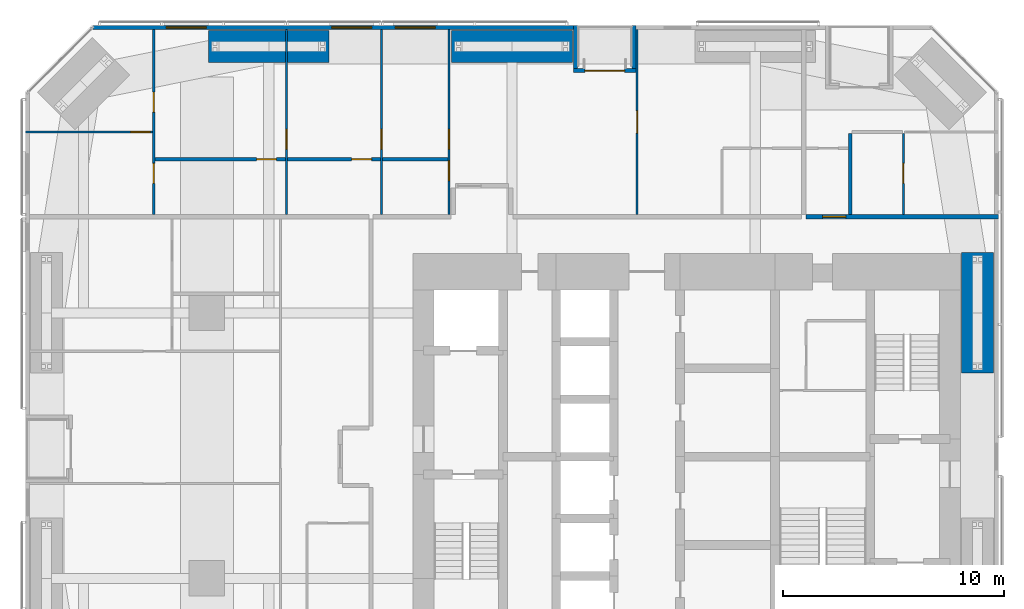
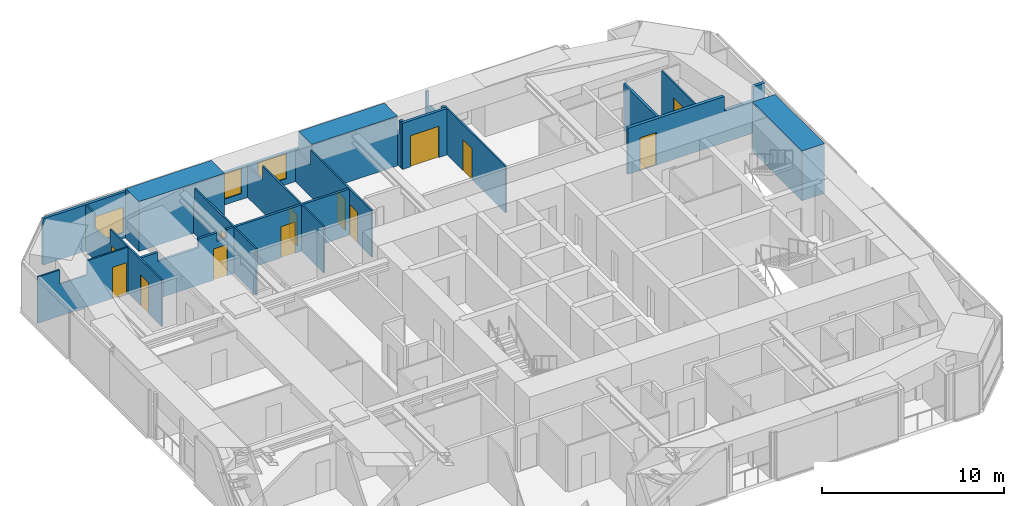
# One storey, part 21 of 23: 19 walls, 13 doors, 3 windows, 16 openings.
"""IFC4 building model written with IfcOpenShell, lengths in metres."""

import ifcopenshell
import ifcopenshell.guid

model = None  # the IFC model being written
_history = None  # IfcOwnerHistory: only IFC2X3 demands one
_inside = {}  # id of a spatial element -> (the spatial element, [elements in it])
_under = {}  # id of a project, library or spatial element -> (it, [spatial elements below it])
_declared = {}  # id of a project -> (the project, [libraries it declares])
_typed = {}  # id of a type object -> (the type object, [elements of that type])
_made_of = {}  # id of a material, layer set ... -> (it, [elements and type objects made of it])


def new_model(schema):
    """Start an empty IFC model of exactly this schema.

    Asked for "IFC4X3", IfcOpenShell would pick the latest addendum, in which some entities
    have other attributes; the version numbers below select the first issue.
    IFC2X3 requires an IfcOwnerHistory on every rooted entity: one is made here for all.
    """
    global model, _history
    if schema == "IFC4X3":
        model = ifcopenshell.file(schema_version=(4, 3, 0, 0))
    else:
        model = ifcopenshell.file(schema=schema)
    _inside.clear()
    _under.clear()
    _declared.clear()
    _typed.clear()
    _made_of.clear()
    _history = None
    if model.schema == "IFC2X3":
        org = make("IfcOrganization", Name="unknown")
        user = make(
            "IfcPersonAndOrganization",
            ThePerson=make("IfcPerson", FamilyName="unknown"),
            TheOrganization=org,
        )
        app = make(
            "IfcApplication",
            ApplicationDeveloper=org,
            Version="unknown",
            ApplicationFullName="unknown",
            ApplicationIdentifier="unknown",
        )
        _history = make(
            "IfcOwnerHistory",
            OwningUser=user,
            OwningApplication=app,
            ChangeAction="ADDED",
            CreationDate=0,
        )
    return model


def make(cls, **values):
    """One entity of the class cls with the attributes given. An attribute that is None is left unset."""
    return model.create_entity(
        cls, **{name: value for name, value in values.items() if value is not None}
    )


def rooted(cls, **values):
    """An entity with a GlobalId (a new one), such as an element, a storey or a relation."""
    return make(cls, GlobalId=ifcopenshell.guid.new(), OwnerHistory=_history, **values)


def si_unit(unit_type, name, prefix=None):
    """IfcSIUnit, for example si_unit("LENGTHUNIT", "METRE", prefix="MILLI")."""
    return make("IfcSIUnit", UnitType=unit_type, Prefix=prefix, Name=name)


def assignment(units):
    """IfcUnitAssignment: the units of a project."""
    return None if units is None else make("IfcUnitAssignment", Units=units)


def point(xyz):
    """IfcCartesianPoint."""
    return None if xyz is None else make("IfcCartesianPoint", Coordinates=xyz)


def direction(xyz):
    """IfcDirection."""
    return None if xyz is None else make("IfcDirection", DirectionRatios=xyz)


def frame(location, z_axis=None, x_axis=None):
    """IfcAxis2Placement3D, a coordinate frame: its origin and axes. An axis left out is left unset."""
    return make(
        "IfcAxis2Placement3D",
        Location=point(location),
        Axis=direction(z_axis),
        RefDirection=direction(x_axis),
    )


def frame_2d(location, x_axis=None):
    """IfcAxis2Placement2D, a coordinate frame in the plane: its origin and x axis."""
    return make(
        "IfcAxis2Placement2D", Location=point(location), RefDirection=direction(x_axis)
    )


def origin():
    """The frame at (0, 0, 0) with its axes left unset."""
    return frame((0.0, 0.0, 0.0))


def place(relative_to, where):
    """IfcLocalPlacement: puts the frame where relative to a parent placement (None: the world)."""
    return make(
        "IfcLocalPlacement", PlacementRelTo=relative_to, RelativePlacement=where
    )


def context(
    kind, dimensions, precision=None, world=None, true_north=None, identifier=None
):
    """IfcGeometricRepresentationContext, for example the 3D "Model" context."""
    return make(
        "IfcGeometricRepresentationContext",
        ContextIdentifier=identifier,
        ContextType=kind,
        CoordinateSpaceDimension=dimensions,
        Precision=precision,
        WorldCoordinateSystem=world,
        TrueNorth=true_north,
    )


def subcontext(parent, identifier, kind, view, scale=None):
    """IfcGeometricRepresentationSubContext, for example "Body" below "Model"."""
    return make(
        "IfcGeometricRepresentationSubContext",
        ContextIdentifier=identifier,
        ContextType=kind,
        ParentContext=parent,
        TargetScale=scale,
        TargetView=view,
    )


def project(units=None, contexts=None):
    """IfcProject with its units and contexts."""
    return rooted(
        "IfcProject",
        Name="project",
        RepresentationContexts=contexts,
        UnitsInContext=assignment(units),
    )


def spatial(cls, under=None, at=None, **own):
    """A site, building, storey or space (cls), placed at a placement, below another one or the project."""
    s = rooted(cls, ObjectPlacement=at, **own)
    if under is not None:
        _under.setdefault(under.id(), (under, []))[1].append(s)
    return s


def polyline(points):
    """IfcPolyline through the points."""
    return make("IfcPolyline", Points=[point(p) for p in points])


def profile(cls, at=None, kind="AREA", **sizes):
    """A parametric profile (cls). Its sizes go by their IFC names, for example OverallWidth=200.0."""
    return make(cls, ProfileType=kind, Position=at, **sizes)


def rectangle(**sizes):
    """IfcRectangleProfileDef."""
    return profile("IfcRectangleProfileDef", **sizes)


def outline(outer, holes=None, kind="AREA"):
    """IfcArbitraryClosedProfileDef: a profile drawn as a closed curve; with holes, ...WithVoids."""
    if holes is None:
        return make("IfcArbitraryClosedProfileDef", ProfileType=kind, OuterCurve=outer)
    return make(
        "IfcArbitraryProfileDefWithVoids",
        ProfileType=kind,
        OuterCurve=outer,
        InnerCurves=holes,
    )


def extrude(swept, where, along, depth):
    """IfcExtrudedAreaSolid: the profile swept, set in the frame where, extruded along a direction by depth."""
    return make(
        "IfcExtrudedAreaSolid",
        SweptArea=swept,
        Position=where,
        ExtrudedDirection=direction(along),
        Depth=depth,
    )


def shape(context_of_items, identifier, shape_type, items):
    """IfcShapeRepresentation: the items that make up one representation, for example the "Body"."""
    return make(
        "IfcShapeRepresentation",
        ContextOfItems=context_of_items,
        RepresentationIdentifier=identifier,
        RepresentationType=shape_type,
        Items=items,
    )


def material(Name=None, Category=None):
    """IfcMaterial."""
    return make("IfcMaterial", Name=Name, Category=Category)


def layer(
    of_material, thickness, ventilated=None, Name=None, Category=None, Priority=None
):
    """IfcMaterialLayer: one layer of a wall or slab, of a material (None: an air gap)."""
    return make(
        "IfcMaterialLayer",
        Material=of_material,
        LayerThickness=thickness,
        IsVentilated=ventilated,
        Name=Name,
        Category=Category,
        Priority=Priority,
    )


def layer_set(layers, Name=None):
    """IfcMaterialLayerSet."""
    return make("IfcMaterialLayerSet", MaterialLayers=layers, LayerSetName=Name)


def constituent(of_material, Name=None, Category=None, fraction=None):
    """IfcMaterialConstituent: one of the materials an element consists of."""
    return make(
        "IfcMaterialConstituent",
        Name=Name,
        Material=of_material,
        Fraction=fraction,
        Category=Category,
    )


def constituent_set(constituents=None, Name=None):
    """IfcMaterialConstituentSet."""
    return make(
        "IfcMaterialConstituentSet", Name=Name, MaterialConstituents=constituents
    )


def made_of(thing, what):
    """Note that an element or type object is made of a material, layer set ...; save() writes the relation."""
    if what is not None:
        _made_of.setdefault(what.id(), (what, []))[1].append(thing)
    return thing


def type_object(cls, material=None, **own):
    """A type object (cls), such as IfcWallType, which elements share."""
    return made_of(rooted(cls, **own), material)


def element(
    cls,
    number,
    at=None,
    inside=None,
    cuts=None,
    type_object=None,
    material=None,
    context=None,
    identifier="Body",
    shape_type=None,
    held_by="IfcProductDefinitionShape",
    body=None,
    shapes=None,
    **own,
):
    """One element of the class cls, such as IfcWall. Its Tag is "e" and its number.

    at: its placement. inside: the storey or other place that contains it. cuts: it is an
    opening in that element (IfcRelVoidsElement). A single representation is given by context,
    identifier, shape_type and body (its items); several are given by shapes. held_by: the class
    of the entity that holds the representations. save() writes the other relations.
    """
    e = rooted(cls, Tag="e%d" % number, ObjectPlacement=at, **own)
    if body is not None:
        shapes = [shape(context, identifier, shape_type, body)]
    if shapes is not None:
        e.Representation = make(held_by, Representations=shapes)
    if inside is not None:
        _inside.setdefault(inside.id(), (inside, []))[1].append(e)
    if cuts is not None:
        rooted(
            "IfcRelVoidsElement", RelatingBuildingElement=cuts, RelatedOpeningElement=e
        )
    if type_object is not None:
        _typed.setdefault(type_object.id(), (type_object, []))[1].append(e)
    return made_of(e, material)


def fill(opening, filler):
    """IfcRelFillsElement: the door or window that sits in an opening."""
    return rooted(
        "IfcRelFillsElement",
        RelatingOpeningElement=opening,
        RelatedBuildingElement=filler,
    )


def aggregate(whole, parts):
    """IfcRelAggregates: a whole, such as a stair, and the parts it consists of."""
    return rooted("IfcRelAggregates", RelatingObject=whole, RelatedObjects=parts)


def save(model, path):
    """Write the relations noted so far, then the file.

    IfcRelAggregates (storeys below a building ...), IfcRelContainedInSpatialStructure (elements
    in a storey), IfcRelDefinesByType, IfcRelAssociatesMaterial and IfcRelDeclares: one each for
    every whole, place, type object, material and project.
    """
    for whole, parts in _under.values():
        aggregate(whole, parts)
    for where, things in _inside.values():
        rooted(
            "IfcRelContainedInSpatialStructure",
            RelatedElements=things,
            RelatingStructure=where,
        )
    for kind, things in _typed.values():
        rooted("IfcRelDefinesByType", RelatedObjects=things, RelatingType=kind)
    for what, things in _made_of.values():
        rooted("IfcRelAssociatesMaterial", RelatedObjects=things, RelatingMaterial=what)
    for by, libraries in _declared.values():
        rooted("IfcRelDeclares", RelatingContext=by, RelatedDefinitions=libraries)
    model.write(path)


model = new_model("IFC4")

# Units and contexts
model_context = context("Model", 3, precision=1e-05, world=origin(), true_north=direction((0.0, 1.0)))
body_context = subcontext(model_context, "Body", "Model", "MODEL_VIEW")
ifc_project = project(units=[si_unit("LENGTHUNIT", "METRE"), si_unit("AREAUNIT", "SQUARE_METRE"), si_unit("VOLUMEUNIT", "CUBIC_METRE"), si_unit("PLANEANGLEUNIT", "RADIAN"), si_unit("MASSUNIT", "GRAM", prefix="KILO")], contexts=[model_context])

# Site, building, storey
site_placement = place(None, origin())
site = spatial("IfcSite", under=ifc_project, at=site_placement, CompositionType="ELEMENT")
building_placement = place(site_placement, origin())
building = spatial("IfcBuilding", under=site, at=building_placement, Name="Jalousie Tower", CompositionType="ELEMENT")
storey_placement = place(building_placement, frame((0.0, 0.0, 27.699951171875)))
storey = spatial("IfcBuildingStorey", under=building, at=storey_placement, Name="L06", CompositionType="ELEMENT", Elevation=27.699951171875)

# Wall, opening, door
ifc_material_1 = material(Name="Concrete block ASTM C90", Category="concrete")
ifc_constituent_1 = constituent(ifc_material_1, Name="Body")
ifc_material_2 = material(Name="Render")
ifc_constituent_2 = constituent(ifc_material_2, Name="Finish")
ifc_constituent_set_1 = constituent_set(constituents=[ifc_constituent_1, ifc_constituent_2])
wall_type_1 = type_object("IfcWallType", Name="BATHROOM WALL 150", PredefinedType="PLUMBINGWALL", material=ifc_constituent_set_1)
wall_1_placement = place(storey_placement, frame((7.85009765625, 31.949951171875, 0.0), z_axis=(0.0, 0.0, 1.0), x_axis=(1.0, 0.0, 0.0)))
wall_1 = element("IfcWall", 1, at=wall_1_placement, inside=storey, type_object=wall_type_1, Name="Bathroom Wall 150 L06", PredefinedType="PLUMBINGWALL", context=body_context, shape_type="SweptSolid", body=[
    extrude(outline(polyline([(0.0, 0.0), (5.89990234375, 0.0), (5.89990234375, 3.110107421875), (5.46240234375, 3.110107421875), (5.46240234375, 2.541015625), (4.837646484375, 2.541015625), (4.837646484375, 3.110107421875), (3.635009765625, 3.110107421875), (3.635009765625, 2.510009765625), (1.06494140625, 2.510009765625), (1.06494140625, 3.110107421875), (0.0, 3.110107421875), (0.0, 0.0)])), frame((0.0, 0.074951171875, 0.0), z_axis=(0.0, -1.0, 0.0), x_axis=(1.0, 0.0, 0.0)), (0.0, 0.0, 1.0), 0.14990234375),
])
opening_1_placement = place(wall_1_placement, frame((4.60009765625, 0.0, 0.0)))
opening_1 = element("IfcOpeningElement", 2, at=opening_1_placement, cuts=wall_1, Name="Opening D3", PredefinedType="OPENING", context=body_context, shape_type="SweptSolid", body=[
    extrude(rectangle(XDim=0.89990234375, YDim=2.10009765625, at=frame_2d((0.449951171875, 1.050048828125))), frame((0.0, 0.0849609375, 0.0), z_axis=(0.0, -1.0, 0.0), x_axis=(1.0, 0.0, 0.0)), (0.0, 0.0, 1.0), 0.169921875),
])
ifc_material_3 = material(Name="Timber door", Category="wood")
door_type_1 = type_object("IfcDoorType", Name="BATHROOM DOOR 900", OperationType="SINGLE_SWING_LEFT", PredefinedType="DOOR", material=ifc_material_3)
door_1_placement = place(opening_1_placement, frame((0.89990234375, 0.0, 0.0), z_axis=(0.0, 0.0, 1.0), x_axis=(-1.0, 0.0, 0.0)))
door_1 = element("IfcDoor", 3, at=door_1_placement, inside=storey, type_object=door_type_1, Name="Apartment 0604 bedroom 2 bathroom door", OperationType="SINGLE_SWING_LEFT", OverallHeight=2.10009765625, OverallWidth=0.89990234375, PredefinedType="DOOR", context=body_context, shape_type="SweptSolid", body=[
    extrude(rectangle(XDim=0.89990234375, YDim=2.10009765625, at=frame_2d((0.449951171875, 1.050048828125))), frame((0.0, 0.02490234375, 0.0), z_axis=(0.0, -1.0, 0.0), x_axis=(1.0, 0.0, 0.0)), (0.0, 0.0, 1.0), 0.050048828125),
])
fill(opening_1, door_1)

wall_2_placement = place(storey_placement, frame((13.85009765625, 31.949951171875, 0.0), z_axis=(0.0, 0.0, 1.0), x_axis=(1.0, 0.0, 0.0)))
wall_2 = element("IfcWall", 4, at=wall_2_placement, inside=storey, type_object=wall_type_1, Name="Bathroom Wall 150 L06", PredefinedType="PLUMBINGWALL", context=body_context, shape_type="SweptSolid", body=[
    extrude(rectangle(XDim=4.199951171875, YDim=0.14990234375, at=frame_2d((2.10009765625, 0.0))), origin(), (0.0, 0.0, 1.0), 3.110107421875),
])
opening_2_placement = place(wall_2_placement, frame((2.89990234375, 0.0, 0.0)))
opening_2 = element("IfcOpeningElement", 5, at=opening_2_placement, cuts=wall_2, Name="Opening D3", PredefinedType="OPENING", context=body_context, shape_type="SweptSolid", body=[
    extrude(rectangle(XDim=0.89990234375, YDim=2.10009765625, at=frame_2d((0.449951171875, 1.050048828125))), frame((0.0, 0.0849609375, 0.0), z_axis=(0.0, -1.0, 0.0), x_axis=(1.0, 0.0, 0.0)), (0.0, 0.0, 1.0), 0.169921875),
])
door_2_placement = place(opening_2_placement, frame((0.89990234375, 0.0, 0.0), z_axis=(0.0, 0.0, 1.0), x_axis=(-1.0, 0.0, 0.0)))
door_2 = element("IfcDoor", 6, at=door_2_placement, inside=storey, type_object=door_type_1, Name="Apartment 0604 bedroom 3 bathroom door", OperationType="SINGLE_SWING_LEFT", OverallHeight=2.10009765625, OverallWidth=0.89990234375, PredefinedType="DOOR", context=body_context, shape_type="SweptSolid", body=[
    extrude(rectangle(XDim=0.89990234375, YDim=2.10009765625, at=frame_2d((0.449951171875, 1.050048828125))), frame((0.0, 0.02490234375, 0.0), z_axis=(0.0, -1.0, 0.0), x_axis=(1.0, 0.0, 0.0)), (0.0, 0.0, 1.0), 0.050048828125),
])
fill(opening_2, door_2)

# Walls
wall_3_placement = place(storey_placement, frame((18.14990234375, 31.949951171875, 0.0), z_axis=(0.0, 0.0, 1.0), x_axis=(1.0, 0.0, 0.0)))
element("IfcWall", 7, at=wall_3_placement, inside=storey, type_object=wall_type_1, Name="Bathroom Wall 150 L06", PredefinedType="PLUMBINGWALL", context=body_context, shape_type="SweptSolid", body=[
    extrude(rectangle(XDim=2.9501953125, YDim=0.14990234375, at=frame_2d((1.47509765625, 0.0))), origin(), (0.0, 0.0, 1.0), 3.110107421875),
])
wall_4_placement = place(storey_placement, frame((39.300048828125, 33.107666015625, 0.0), z_axis=(0.0, 0.0, 1.0), x_axis=(0.0, -1.0, 0.0)))
element("IfcWall", 8, at=wall_4_placement, inside=storey, type_object=wall_type_1, Name="Bathroom Wall 150 L06", PredefinedType="PLUMBINGWALL", context=body_context, shape_type="SweptSolid", body=[
    extrude(rectangle(XDim=3.65771484375, YDim=0.14990234375, at=frame_2d((1.828857421875, 0.0))), origin(), (0.0, 0.0, 1.0), 3.110107421875),
])

# Wall, opening, door
ifc_material_4 = material(Name="Concrete block ASTM C90", Category="concrete")
ifc_constituent_3 = constituent(ifc_material_4, Name="Body")
ifc_material_5 = material(Name="Render")
ifc_constituent_4 = constituent(ifc_material_5, Name="Finish")
ifc_constituent_set_2 = constituent_set(constituents=[ifc_constituent_3, ifc_constituent_4])
wall_type_2 = type_object("IfcWallType", Name="CORRIDOR WALL 200", PredefinedType="PARTITIONING", material=ifc_constituent_set_2)
wall_5_placement = place(storey_placement, frame((37.300048828125, 29.35009765625, 0.0), z_axis=(0.0, 0.0, 1.0), x_axis=(1.0, 0.0, 0.0)))
wall_5 = element("IfcWall", 9, at=wall_5_placement, inside=storey, type_object=wall_type_2, Name="Corridor Wall 200 L06", PredefinedType="PARTITIONING", context=body_context, shape_type="SweptSolid", body=[
    extrude(outline(polyline([(0.0, 0.0), (8.699951171875, 0.0), (8.699951171875, 3.110107421875), (7.966552734375, 3.110107421875), (7.966552734375, 2.150146484375), (6.122802734375, 2.150146484375), (6.122802734375, 3.110107421875), (0.0, 3.110107421875), (0.0, 0.0)])), frame((0.0, 0.10009765625, 0.0), z_axis=(0.0, -1.0, 0.0), x_axis=(1.0, 0.0, 0.0)), (0.0, 0.0, 1.0), 0.199951171875),
])
opening_3_placement = place(wall_5_placement, frame((0.75, 0.0, 0.0)))
opening_3 = element("IfcOpeningElement", 10, at=opening_3_placement, cuts=wall_5, Name="Opening D1", PredefinedType="OPENING", context=body_context, shape_type="SweptSolid", body=[
    extrude(rectangle(XDim=1.050048828125, YDim=2.199951171875, at=frame_2d((0.52490234375, 1.10009765625))), frame((0.0, 0.10986328125, 0.0), z_axis=(0.0, -1.0, 0.0), x_axis=(1.0, 0.0, 0.0)), (0.0, 0.0, 1.0), 0.219970703125),
])
ifc_material_6 = material(Name="Timber fire door", Category="wood")
door_type_2 = type_object("IfcDoorType", Name="APARTMENT ENTRANCE DOOR 1050", OperationType="SINGLE_SWING_LEFT", PredefinedType="DOOR", material=ifc_material_6)
door_3_placement = place(opening_3_placement, origin())
door_3 = element("IfcDoor", 11, at=door_3_placement, inside=storey, type_object=door_type_2, Name="Apartment 0605 entrance", OperationType="SINGLE_SWING_RIGHT", OverallHeight=2.199951171875, OverallWidth=1.050048828125, PredefinedType="DOOR", context=body_context, shape_type="SweptSolid", body=[
    extrude(rectangle(XDim=1.050048828125, YDim=2.199951171875, at=frame_2d((0.52490234375, 1.10009765625))), frame((0.0, 0.02490234375, 0.0), z_axis=(0.0, -1.0, 0.0), x_axis=(1.0, 0.0, 0.0)), (0.0, 0.0, 1.0), 0.050048828125),
])
fill(opening_3, door_3)

# Wall, openings, windows
ifc_material_7 = material(Name="Concrete f'c 40 MPa", Category="concrete")
ifc_constituent_5 = constituent(ifc_material_7, Name="Body")
ifc_material_8 = material(Name="Render, pastel coral")
ifc_constituent_6 = constituent(ifc_material_8, Name="Finish")
ifc_constituent_set_3 = constituent_set(constituents=[ifc_constituent_5, ifc_constituent_6])
wall_type_3 = type_object("IfcWallType", Name="EXTERNAL WALL 175 CORAL RENDER", PredefinedType="SOLIDWALL", material=ifc_constituent_set_3)
wall_6_placement = place(storey_placement, frame((26.783203125, 37.91259765625, 0.0), z_axis=(0.0, 0.0, 1.0), x_axis=(-1.0, 0.0, 0.0)))
wall_6 = element("IfcWall", 12, at=wall_6_placement, inside=storey, type_object=wall_type_3, Name="External Wall 175 Coral Render L06", PredefinedType="SOLIDWALL", context=body_context, shape_type="SweptSolid", body=[
    extrude(outline(polyline([(0.0, 0.0), (21.73193359375, 0.0), (21.73193359375, 3.110107421875), (13.9873046875, 3.110107421875), (13.9873046875, 2.150146484375), (13.93896484375, 2.150146484375), (13.93896484375, 3.110107421875), (13.783203125, 3.110107421875), (13.783203125, 2.150146484375), (0.0, 2.150146484375), (0.0, 0.0)])), frame((0.0, 0.08740234375, 0.0), z_axis=(0.0, -1.0, 0.0), x_axis=(1.0, 0.0, 0.0)), (0.0, 0.0, 1.0), 0.175048828125),
])
opening_4_placement = place(wall_6_placement, frame((6.25830078125, 0.0, 0.39990234375)))
opening_4 = element("IfcOpeningElement", 13, at=opening_4_placement, cuts=wall_6, Name="Opening W-BED170", PredefinedType="OPENING", context=body_context, shape_type="SweptSolid", body=[
    extrude(rectangle(XDim=1.800048828125, YDim=1.699951171875, at=frame_2d((0.89990234375, 0.85009765625))), frame((0.0, 0.097412109375, 0.0), z_axis=(0.0, -1.0, 0.0), x_axis=(1.0, 0.0, 0.0)), (0.0, 0.0, 1.0), 0.195068359375),
])
opening_5_placement = place(wall_6_placement, frame((9.125732421875, 0.0, 0.39990234375)))
opening_5 = element("IfcOpeningElement", 14, at=opening_5_placement, cuts=wall_6, Name="Opening W-BED170", PredefinedType="OPENING", context=body_context, shape_type="SweptSolid", body=[
    extrude(rectangle(XDim=1.800048828125, YDim=1.699951171875, at=frame_2d((0.89990234375, 0.85009765625))), frame((0.0, 0.097412109375, 0.0), z_axis=(0.0, -1.0, 0.0), x_axis=(1.0, 0.0, 0.0)), (0.0, 0.0, 1.0), 0.195068359375),
])
opening_6_placement = place(wall_6_placement, frame((16.61328125, 0.0, 0.39990234375)))
opening_6 = element("IfcOpeningElement", 15, at=opening_6_placement, cuts=wall_6, Name="Opening W-BED170", PredefinedType="OPENING", context=body_context, shape_type="SweptSolid", body=[
    extrude(rectangle(XDim=1.800048828125, YDim=1.699951171875, at=frame_2d((0.89990234375, 0.85009765625))), frame((0.0, 0.097412109375, 0.0), z_axis=(0.0, -1.0, 0.0), x_axis=(1.0, 0.0, 0.0)), (0.0, 0.0, 1.0), 0.195068359375),
])
ifc_material_9 = material(Name="Aluminium frame, impact-rated glazing", Category="aluminium")
window_type = type_object("IfcWindowType", Name="WINDOW BED 1800x1700", PartitioningType="SINGLE_PANEL", PredefinedType="WINDOW", material=ifc_material_9)
window_1_placement = place(opening_4_placement, origin())
window_1 = element("IfcWindow", 16, at=window_1_placement, inside=storey, type_object=window_type, Name="Apartment 0604 bedroom 4 window", OverallHeight=1.699951171875, OverallWidth=1.800048828125, PartitioningType="SINGLE_PANEL", PredefinedType="WINDOW", context=body_context, shape_type="SweptSolid", body=[
    extrude(rectangle(XDim=1.800048828125, YDim=1.699951171875, at=frame_2d((0.89990234375, 0.85009765625))), frame((0.0, 0.030029296875, 0.0), z_axis=(0.0, -1.0, 0.0), x_axis=(1.0, 0.0, 0.0)), (0.0, 0.0, 1.0), 0.06005859375),
])
fill(opening_4, window_1)
window_2_placement = place(opening_5_placement, origin())
window_2 = element("IfcWindow", 17, at=window_2_placement, inside=storey, type_object=window_type, Name="Apartment 0604 bedroom 3 window", OverallHeight=1.699951171875, OverallWidth=1.800048828125, PartitioningType="SINGLE_PANEL", PredefinedType="WINDOW", context=body_context, shape_type="SweptSolid", body=[
    extrude(rectangle(XDim=1.800048828125, YDim=1.699951171875, at=frame_2d((0.89990234375, 0.85009765625))), frame((0.0, 0.030029296875, 0.0), z_axis=(0.0, -1.0, 0.0), x_axis=(1.0, 0.0, 0.0)), (0.0, 0.0, 1.0), 0.06005859375),
])
fill(opening_5, window_2)
window_3_placement = place(opening_6_placement, origin())
window_3 = element("IfcWindow", 18, at=window_3_placement, inside=storey, type_object=window_type, Name="Apartment 0604 bedroom 2 window", OverallHeight=1.699951171875, OverallWidth=1.800048828125, PartitioningType="SINGLE_PANEL", PredefinedType="WINDOW", context=body_context, shape_type="SweptSolid", body=[
    extrude(rectangle(XDim=1.800048828125, YDim=1.699951171875, at=frame_2d((0.89990234375, 0.85009765625))), frame((0.0, 0.030029296875, 0.0), z_axis=(0.0, -1.0, 0.0), x_axis=(1.0, 0.0, 0.0)), (0.0, 0.0, 1.0), 0.06005859375),
])
fill(opening_6, window_3)

# Wall, opening, door
wall_7_placement = place(storey_placement, frame((29.608154296875, 35.96240234375, 0.0), z_axis=(0.0, 0.0, 1.0), x_axis=(-1.0, 0.0, 0.0)))
wall_7 = element("IfcWall", 19, at=wall_7_placement, inside=storey, type_object=wall_type_3, Name="External Wall 175 Coral Render L06", PredefinedType="SOLIDWALL", context=body_context, shape_type="SweptSolid", body=[
    extrude(rectangle(XDim=2.824951171875, YDim=0.175048828125, at=frame_2d((1.41259765625, 0.0))), origin(), (0.0, 0.0, 1.0), 3.110107421875),
])
opening_7_placement = place(wall_7_placement, frame((0.512451171875, 0.0, 0.0)))
opening_7 = element("IfcOpeningElement", 20, at=opening_7_placement, cuts=wall_7, Name="Opening D-BAL21", PredefinedType="OPENING", context=body_context, shape_type="SweptSolid", body=[
    extrude(rectangle(XDim=1.800048828125, YDim=2.10009765625, at=frame_2d((0.89990234375, 1.050048828125))), frame((0.0, 0.097412109375, 0.0), z_axis=(0.0, -1.0, 0.0), x_axis=(1.0, 0.0, 0.0)), (0.0, 0.0, 1.0), 0.195068359375),
])
ifc_material_10 = material(Name="Aluminium frame, impact-rated glazing", Category="aluminium")
door_type_3 = type_object("IfcDoorType", Name="BALCONY DOOR 1800x2100", OperationType="SLIDING_TO_LEFT", PredefinedType="DOOR", material=ifc_material_10)
door_4_placement = place(opening_7_placement, origin())
door_4 = element("IfcDoor", 21, at=door_4_placement, inside=storey, type_object=door_type_3, Name="Apartment 0604 living room loggia door", OperationType="SLIDING_TO_LEFT", OverallHeight=2.10009765625, OverallWidth=1.800048828125, PredefinedType="DOOR", context=body_context, shape_type="SweptSolid", body=[
    extrude(rectangle(XDim=1.800048828125, YDim=2.10009765625, at=frame_2d((0.89990234375, 1.050048828125))), frame((0.0, 0.02490234375, 0.0), z_axis=(0.0, -1.0, 0.0), x_axis=(1.0, 0.0, 0.0)), (0.0, 0.0, 1.0), 0.050048828125),
])
fill(opening_7, door_4)

# Walls
for number, where, z_axis, x_axis, name in (
    (22, (29.520751953125, 38.0, 0.0), (0.0, 0.0, 1.0), (0.0, -1.0, 0.0), "External Wall 175 Coral Render L06"),
    (23, (26.87060546875, 38.0, 0.0), (0.0, 0.0, 1.0), (0.0, -1.0, 0.0), "External Wall 175 Coral Render L06"),
):
    element("IfcWall", number, at=place(storey_placement, frame(where, z_axis=z_axis, x_axis=x_axis)), inside=storey, type_object=wall_type_3, Name=name, PredefinedType="SOLIDWALL", context=body_context, shape_type="SweptSolid", body=[
        extrude(outline(polyline([(0.0, 0.0), (1.949951171875, 0.0), (1.949951171875, 3.110107421875), (1.75, 3.110107421875), (1.75, 2.150146484375), (0.14990234375, 2.150146484375), (0.14990234375, 3.110107421875), (0.0, 3.110107421875), (0.0, 0.0)])), frame((0.0, 0.08740234375, 0.0), z_axis=(0.0, -1.0, 0.0), x_axis=(1.0, 0.0, 0.0)), (0.0, 0.0, 1.0), 0.175048828125),
    ])

# Wall, openings, doors
ifc_material_11 = material(Name="Gypsum board", Category="gypsum")
ifc_constituent_7 = constituent(ifc_material_11, Name="Body")
ifc_material_12 = material(Name="Light-gauge steel studs ASTM A653 SS Grade 33", Category="steel")
ifc_constituent_8 = constituent(ifc_material_12, Name="Framing")
ifc_constituent_set_4 = constituent_set(constituents=[ifc_constituent_7, ifc_constituent_8])
wall_type_4 = type_object("IfcWallType", Name="PARTITION 100", PredefinedType="PARTITIONING", material=ifc_constituent_set_4)
wall_8_placement = place(storey_placement, frame((7.800048828125, 37.824951171875, 0.0), z_axis=(0.0, 0.0, 1.0), x_axis=(0.0, -1.0, 0.0)))
wall_8 = element("IfcWall", 24, at=wall_8_placement, inside=storey, type_object=wall_type_4, Name="Partition 100 L06", PredefinedType="PARTITIONING", context=body_context, shape_type="SweptSolid", body=[
    extrude(outline(polyline([(0.0, 0.0), (8.375, 0.0), (8.375, 3.110107421875), (2.697021484375, 3.110107421875), (2.697021484375, 2.150146484375), (0.942626953125, 2.150146484375), (0.942626953125, 3.110107421875), (0.0, 3.110107421875), (0.0, 0.0)])), frame((0.0, 0.050048828125, 0.0), z_axis=(0.0, -1.0, 0.0), x_axis=(1.0, 0.0, 0.0)), (0.0, 0.0, 1.0), 0.10009765625),
])
opening_8_placement = place(wall_8_placement, frame((2.84228515625, 0.0, 0.0)))
opening_8 = element("IfcOpeningElement", 25, at=opening_8_placement, cuts=wall_8, Name="Opening D2", PredefinedType="OPENING", context=body_context, shape_type="SweptSolid", body=[
    extrude(rectangle(XDim=0.89990234375, YDim=2.10009765625, at=frame_2d((0.449951171875, 1.050048828125))), frame((0.0, 0.06005859375, 0.0), z_axis=(0.0, -1.0, 0.0), x_axis=(1.0, 0.0, 0.0)), (0.0, 0.0, 1.0), 0.1201171875),
])
opening_9_placement = place(wall_8_placement, frame((6.05859375, 0.0, 0.0)))
opening_9 = element("IfcOpeningElement", 26, at=opening_9_placement, cuts=wall_8, Name="Opening D3", PredefinedType="OPENING", context=body_context, shape_type="SweptSolid", body=[
    extrude(rectangle(XDim=0.89990234375, YDim=2.10009765625, at=frame_2d((0.449951171875, 1.050048828125))), frame((0.0, 0.06005859375, 0.0), z_axis=(0.0, -1.0, 0.0), x_axis=(1.0, 0.0, 0.0)), (0.0, 0.0, 1.0), 0.1201171875),
])
door_5_placement = place(opening_9_placement, origin())
door_5 = element("IfcDoor", 27, at=door_5_placement, inside=storey, type_object=door_type_1, Name="Apartment 0604 bedroom 1 bathroom door", OperationType="SINGLE_SWING_LEFT", OverallHeight=2.10009765625, OverallWidth=0.89990234375, PredefinedType="DOOR", context=body_context, shape_type="SweptSolid", body=[
    extrude(rectangle(XDim=0.89990234375, YDim=2.10009765625, at=frame_2d((0.449951171875, 1.050048828125))), frame((0.0, 0.02490234375, 0.0), z_axis=(0.0, -1.0, 0.0), x_axis=(1.0, 0.0, 0.0)), (0.0, 0.0, 1.0), 0.050048828125),
])
fill(opening_9, door_5)
ifc_material_13 = material(Name="Timber door", Category="wood")
door_type_4 = type_object("IfcDoorType", Name="BEDROOM DOOR 900", OperationType="SINGLE_SWING_LEFT", PredefinedType="DOOR", material=ifc_material_13)
door_6_placement = place(opening_8_placement, origin())
door_6 = element("IfcDoor", 28, at=door_6_placement, inside=storey, type_object=door_type_4, Name="Apartment 0604 bedroom 1 door", OperationType="SINGLE_SWING_RIGHT", OverallHeight=2.10009765625, OverallWidth=0.89990234375, PredefinedType="DOOR", context=body_context, shape_type="SweptSolid", body=[
    extrude(rectangle(XDim=0.89990234375, YDim=2.10009765625, at=frame_2d((0.449951171875, 1.050048828125))), frame((0.0, 0.02490234375, 0.0), z_axis=(0.0, -1.0, 0.0), x_axis=(1.0, 0.0, 0.0)), (0.0, 0.0, 1.0), 0.050048828125),
])
fill(opening_8, door_6)

# Wall, opening, door
wall_9_placement = place(storey_placement, frame((13.800048828125, 37.824951171875, 0.0), z_axis=(0.0, 0.0, 1.0), x_axis=(0.0, -1.0, 0.0)))
wall_9 = element("IfcWall", 29, at=wall_9_placement, inside=storey, type_object=wall_type_4, Name="Partition 100 L06", PredefinedType="PARTITIONING", context=body_context, shape_type="SweptSolid", body=[
    extrude(outline(polyline([(1.635009765625, 2.150146484375), (0.0, 2.150146484375), (0.0, 0.0), (8.375, 0.0), (8.375, 3.110107421875), (1.635009765625, 3.110107421875), (1.635009765625, 2.150146484375)]), holes=[polyline([(1.021240234375, 0.1259765625), (0.52880859375, 0.1259765625), (0.52880859375, 0.9189453125), (1.021240234375, 0.9189453125), (1.021240234375, 0.1259765625)]), polyline([(1.021240234375, 1.231201171875), (0.52880859375, 1.231201171875), (0.52880859375, 2.024169921875), (1.021240234375, 2.024169921875), (1.021240234375, 1.231201171875)])]), frame((0.0, 0.050048828125, 0.0), z_axis=(0.0, -1.0, 0.0), x_axis=(1.0, 0.0, 0.0)), (0.0, 0.0, 1.0), 0.10009765625),
])
opening_10_placement = place(wall_9_placement, frame((4.52490234375, 0.0, 0.0)))
opening_10 = element("IfcOpeningElement", 30, at=opening_10_placement, cuts=wall_9, Name="Opening D2", PredefinedType="OPENING", context=body_context, shape_type="SweptSolid", body=[
    extrude(rectangle(XDim=0.89990234375, YDim=2.10009765625, at=frame_2d((0.449951171875, 1.050048828125))), frame((0.0, 0.06005859375, 0.0), z_axis=(0.0, -1.0, 0.0), x_axis=(1.0, 0.0, 0.0)), (0.0, 0.0, 1.0), 0.1201171875),
])
door_7_placement = place(opening_10_placement, frame((0.89990234375, 0.0, 0.0), z_axis=(0.0, 0.0, 1.0), x_axis=(-1.0, 0.0, 0.0)))
door_7 = element("IfcDoor", 31, at=door_7_placement, inside=storey, type_object=door_type_4, Name="Apartment 0604 bedroom 2 door", OperationType="SINGLE_SWING_LEFT", OverallHeight=2.10009765625, OverallWidth=0.89990234375, PredefinedType="DOOR", context=body_context, shape_type="SweptSolid", body=[
    extrude(rectangle(XDim=0.89990234375, YDim=2.10009765625, at=frame_2d((0.449951171875, 1.050048828125))), frame((0.0, 0.02490234375, 0.0), z_axis=(0.0, -1.0, 0.0), x_axis=(1.0, 0.0, 0.0)), (0.0, 0.0, 1.0), 0.050048828125),
])
fill(opening_10, door_7)

wall_10_placement = place(storey_placement, frame((18.10009765625, 37.824951171875, 0.0), z_axis=(0.0, 0.0, 1.0), x_axis=(0.0, -1.0, 0.0)))
wall_10 = element("IfcWall", 32, at=wall_10_placement, inside=storey, type_object=wall_type_4, Name="Partition 100 L06", PredefinedType="PARTITIONING", context=body_context, shape_type="SweptSolid", body=[
    extrude(outline(polyline([(0.0, 0.0), (8.375, 0.0), (8.375, 3.110107421875), (1.635009765625, 3.110107421875), (1.635009765625, 2.150146484375), (0.0, 2.150146484375), (0.0, 3.110107421875), (0.0, 0.0)])), frame((0.0, 0.050048828125, 0.0), z_axis=(0.0, -1.0, 0.0), x_axis=(1.0, 0.0, 0.0)), (0.0, 0.0, 1.0), 0.10009765625),
])
opening_11_placement = place(wall_10_placement, frame((4.52490234375, 0.0, 0.0)))
opening_11 = element("IfcOpeningElement", 33, at=opening_11_placement, cuts=wall_10, Name="Opening D2", PredefinedType="OPENING", context=body_context, shape_type="SweptSolid", body=[
    extrude(rectangle(XDim=0.89990234375, YDim=2.10009765625, at=frame_2d((0.449951171875, 1.050048828125))), frame((0.0, 0.06005859375, 0.0), z_axis=(0.0, -1.0, 0.0), x_axis=(1.0, 0.0, 0.0)), (0.0, 0.0, 1.0), 0.1201171875),
])
door_8_placement = place(opening_11_placement, frame((0.89990234375, 0.0, 0.0), z_axis=(0.0, 0.0, 1.0), x_axis=(-1.0, 0.0, 0.0)))
door_8 = element("IfcDoor", 34, at=door_8_placement, inside=storey, type_object=door_type_4, Name="Apartment 0604 bedroom 3 door", OperationType="SINGLE_SWING_LEFT", OverallHeight=2.10009765625, OverallWidth=0.89990234375, PredefinedType="DOOR", context=body_context, shape_type="SweptSolid", body=[
    extrude(rectangle(XDim=0.89990234375, YDim=2.10009765625, at=frame_2d((0.449951171875, 1.050048828125))), frame((0.0, 0.02490234375, 0.0), z_axis=(0.0, -1.0, 0.0), x_axis=(1.0, 0.0, 0.0)), (0.0, 0.0, 1.0), 0.050048828125),
])
fill(opening_11, door_8)

# Wall, openings, doors
wall_11_placement = place(storey_placement, frame((21.14990234375, 37.824951171875, 0.0), z_axis=(0.0, 0.0, 1.0), x_axis=(0.0, -1.0, 0.0)))
wall_11 = element("IfcWall", 35, at=wall_11_placement, inside=storey, type_object=wall_type_4, Name="Partition 100 L06", PredefinedType="PARTITIONING", context=body_context, shape_type="SweptSolid", body=[
    extrude(outline(polyline([(0.0, 0.0), (8.375, 0.0), (8.375, 3.110107421875), (1.635009765625, 3.110107421875), (1.635009765625, 2.150146484375), (0.0, 2.150146484375), (0.0, 3.110107421875), (0.0, 0.0)])), frame((0.0, 0.050048828125, 0.0), z_axis=(0.0, -1.0, 0.0), x_axis=(1.0, 0.0, 0.0)), (0.0, 0.0, 1.0), 0.10009765625),
])
opening_12_placement = place(wall_11_placement, frame((4.52490234375, 0.0, 0.0)))
opening_12 = element("IfcOpeningElement", 36, at=opening_12_placement, cuts=wall_11, Name="Opening D2", PredefinedType="OPENING", context=body_context, shape_type="SweptSolid", body=[
    extrude(rectangle(XDim=0.89990234375, YDim=2.10009765625, at=frame_2d((0.449951171875, 1.050048828125))), frame((0.0, 0.06005859375, 0.0), z_axis=(0.0, -1.0, 0.0), x_axis=(1.0, 0.0, 0.0)), (0.0, 0.0, 1.0), 0.1201171875),
])
opening_13_placement = place(wall_11_placement, frame((5.949951171875, 0.0, 0.0)))
opening_13 = element("IfcOpeningElement", 37, at=opening_13_placement, cuts=wall_11, Name="Opening D7", PredefinedType="OPENING", context=body_context, shape_type="SweptSolid", body=[
    extrude(rectangle(XDim=0.89990234375, YDim=2.10009765625, at=frame_2d((0.449951171875, 1.050048828125))), frame((0.0, 0.06005859375, 0.0), z_axis=(0.0, -1.0, 0.0), x_axis=(1.0, 0.0, 0.0)), (0.0, 0.0, 1.0), 0.1201171875),
])
door_9_placement = place(opening_12_placement, frame((0.89990234375, 0.0, 0.0), z_axis=(0.0, 0.0, 1.0), x_axis=(-1.0, 0.0, 0.0)))
door_9 = element("IfcDoor", 38, at=door_9_placement, inside=storey, type_object=door_type_4, Name="Apartment 0604 bedroom 4 door", OperationType="SINGLE_SWING_LEFT", OverallHeight=2.10009765625, OverallWidth=0.89990234375, PredefinedType="DOOR", context=body_context, shape_type="SweptSolid", body=[
    extrude(rectangle(XDim=0.89990234375, YDim=2.10009765625, at=frame_2d((0.449951171875, 1.050048828125))), frame((0.0, 0.02490234375, 0.0), z_axis=(0.0, -1.0, 0.0), x_axis=(1.0, 0.0, 0.0)), (0.0, 0.0, 1.0), 0.050048828125),
])
fill(opening_12, door_9)
ifc_material_14 = material(Name="Timber door", Category="wood")
door_type_5 = type_object("IfcDoorType", Name="INTERNAL DOOR 900", OperationType="SINGLE_SWING_LEFT", PredefinedType="DOOR", material=ifc_material_14)
door_10_placement = place(opening_13_placement, frame((0.89990234375, 0.0, 0.0), z_axis=(0.0, 0.0, 1.0), x_axis=(-1.0, 0.0, 0.0)))
door_10 = element("IfcDoor", 39, at=door_10_placement, inside=storey, type_object=door_type_5, Name="Apartment 0604 bathroom door", OperationType="SINGLE_SWING_RIGHT", OverallHeight=2.10009765625, OverallWidth=0.89990234375, PredefinedType="DOOR", context=body_context, shape_type="SweptSolid", body=[
    extrude(rectangle(XDim=0.89990234375, YDim=2.10009765625, at=frame_2d((0.449951171875, 1.050048828125))), frame((0.0, 0.02490234375, 0.0), z_axis=(0.0, -1.0, 0.0), x_axis=(1.0, 0.0, 0.0)), (0.0, 0.0, 1.0), 0.050048828125),
])
fill(opening_13, door_10)

# Wall, opening, door
wall_12_placement = place(storey_placement, frame((2.0, 33.1826171875, 0.0), z_axis=(0.0, 0.0, 1.0), x_axis=(1.0, 0.0, 0.0)))
wall_12 = element("IfcWall", 40, at=wall_12_placement, inside=storey, type_object=wall_type_4, Name="Partition 100 L06", PredefinedType="PARTITIONING", context=body_context, shape_type="SweptSolid", body=[
    extrude(outline(polyline([(0.0, 0.0), (5.75, 0.0), (5.75, 3.110107421875), (3.148193359375, 3.110107421875), (3.148193359375, 2.150146484375), (1.40576171875, 2.150146484375), (1.40576171875, 3.110107421875), (0.0, 3.110107421875), (0.0, 0.0)])), frame((0.0, 0.050048828125, 0.0), z_axis=(0.0, -1.0, 0.0), x_axis=(1.0, 0.0, 0.0)), (0.0, 0.0, 1.0), 0.10009765625),
])
opening_14_placement = place(wall_12_placement, frame((4.75, 0.0, 0.0)))
opening_14 = element("IfcOpeningElement", 41, at=opening_14_placement, cuts=wall_12, Name="Opening D7", PredefinedType="OPENING", context=body_context, shape_type="SweptSolid", body=[
    extrude(rectangle(XDim=0.89990234375, YDim=2.10009765625, at=frame_2d((0.449951171875, 1.050048828125))), frame((0.0, 0.06005859375, 0.0), z_axis=(0.0, -1.0, 0.0), x_axis=(1.0, 0.0, 0.0)), (0.0, 0.0, 1.0), 0.1201171875),
])
door_11_placement = place(opening_14_placement, frame((0.89990234375, 0.0, 0.0), z_axis=(0.0, 0.0, 1.0), x_axis=(-1.0, 0.0, 0.0)))
door_11 = element("IfcDoor", 42, at=door_11_placement, inside=storey, type_object=door_type_5, Name="Apartment 0604 bedroom 1 dressing hall door", OperationType="SINGLE_SWING_LEFT", OverallHeight=2.10009765625, OverallWidth=0.89990234375, PredefinedType="DOOR", context=body_context, shape_type="SweptSolid", body=[
    extrude(rectangle(XDim=0.89990234375, YDim=2.10009765625, at=frame_2d((0.449951171875, 1.050048828125))), frame((0.0, 0.02490234375, 0.0), z_axis=(0.0, -1.0, 0.0), x_axis=(1.0, 0.0, 0.0)), (0.0, 0.0, 1.0), 0.050048828125),
])
fill(opening_14, door_11)

wall_13_placement = place(storey_placement, frame((29.658203125, 37.824951171875, 0.0), z_axis=(0.0, 0.0, 1.0), x_axis=(0.0, -1.0, 0.0)))
wall_13 = element("IfcWall", 43, at=wall_13_placement, inside=storey, type_object=wall_type_4, Name="Partition 100 L06", PredefinedType="PARTITIONING", context=body_context, shape_type="SweptSolid", body=[
    extrude(outline(polyline([(0.0, 0.0), (8.375, 0.0), (8.375, 3.110107421875), (1.635009765625, 3.110107421875), (1.635009765625, 2.150146484375), (0.0, 2.150146484375), (0.0, 3.110107421875), (0.0, 0.0)])), frame((0.0, 0.050048828125, 0.0), z_axis=(0.0, -1.0, 0.0), x_axis=(1.0, 0.0, 0.0)), (0.0, 0.0, 1.0), 0.10009765625),
])
opening_15_placement = place(wall_13_placement, frame((3.6875, 0.0, 0.0)))
opening_15 = element("IfcOpeningElement", 44, at=opening_15_placement, cuts=wall_13, Name="Opening D6", PredefinedType="OPENING", context=body_context, shape_type="SweptSolid", body=[
    extrude(rectangle(XDim=1.0, YDim=2.10009765625, at=frame_2d((0.5, 1.050048828125))), frame((0.0, 0.06005859375, 0.0), z_axis=(0.0, -1.0, 0.0), x_axis=(1.0, 0.0, 0.0)), (0.0, 0.0, 1.0), 0.1201171875),
])
ifc_material_15 = material(Name="Timber door", Category="wood")
door_type_6 = type_object("IfcDoorType", Name="INTERNAL DOOR 1000", OperationType="SINGLE_SWING_LEFT", PredefinedType="DOOR", material=ifc_material_15)
door_12_placement = place(opening_15_placement, origin())
door_12 = element("IfcDoor", 45, at=door_12_placement, inside=storey, type_object=door_type_6, Name="Apartment 0604 dining room door", OperationType="SINGLE_SWING_LEFT", OverallHeight=2.10009765625, OverallWidth=1.0, PredefinedType="DOOR", context=body_context, shape_type="SweptSolid", body=[
    extrude(rectangle(XDim=1.0, YDim=2.10009765625, at=frame_2d((0.5, 1.050048828125))), frame((0.0, 0.02490234375, 0.0), z_axis=(0.0, -1.0, 0.0), x_axis=(1.0, 0.0, 0.0)), (0.0, 0.0, 1.0), 0.050048828125),
])
fill(opening_15, door_12)

wall_14_placement = place(storey_placement, frame((41.699951171875, 33.107666015625, 0.0), z_axis=(0.0, 0.0, 1.0), x_axis=(0.0, -1.0, 0.0)))
wall_14 = element("IfcWall", 46, at=wall_14_placement, inside=storey, type_object=wall_type_4, Name="Partition 100 L06", PredefinedType="PARTITIONING", context=body_context, shape_type="SweptSolid", body=[
    extrude(rectangle(XDim=3.65771484375, YDim=0.10009765625, at=frame_2d((1.828857421875, 0.0))), origin(), (0.0, 0.0, 1.0), 3.110107421875),
])
opening_16_placement = place(wall_14_placement, frame((1.34130859375, 0.0, 0.0)))
opening_16 = element("IfcOpeningElement", 47, at=opening_16_placement, cuts=wall_14, Name="Opening D3", PredefinedType="OPENING", context=body_context, shape_type="SweptSolid", body=[
    extrude(rectangle(XDim=0.89990234375, YDim=2.10009765625, at=frame_2d((0.449951171875, 1.050048828125))), frame((0.0, 0.06005859375, 0.0), z_axis=(0.0, -1.0, 0.0), x_axis=(1.0, 0.0, 0.0)), (0.0, 0.0, 1.0), 0.1201171875),
])
door_13_placement = place(opening_16_placement, frame((0.89990234375, 0.0, 0.0), z_axis=(0.0, 0.0, 1.0), x_axis=(-1.0, 0.0, 0.0)))
door_13 = element("IfcDoor", 48, at=door_13_placement, inside=storey, type_object=door_type_1, Name="Apartment 0605 bedroom 1 bathroom door", OperationType="SINGLE_SWING_RIGHT", OverallHeight=2.10009765625, OverallWidth=0.89990234375, PredefinedType="DOOR", context=body_context, shape_type="SweptSolid", body=[
    extrude(rectangle(XDim=0.89990234375, YDim=2.10009765625, at=frame_2d((0.449951171875, 1.050048828125))), frame((0.0, 0.02490234375, 0.0), z_axis=(0.0, -1.0, 0.0), x_axis=(1.0, 0.0, 0.0)), (0.0, 0.0, 1.0), 0.050048828125),
])
fill(opening_16, door_13)

# Walls
ifc_material_16 = material(Name="Concrete f'c 120 MPa", Category="concrete")
ifc_layer = layer(ifc_material_16, 1.449951171875)
ifc_layer_set = layer_set([ifc_layer], Name="Concrete f'c 120 MPa")
wall_type_5 = type_object("IfcWallType", Name="RC WALL PIER 1450", PredefinedType="SHEAR", material=ifc_layer_set)
for number, where, z_axis, x_axis, name in (
    (49, (45.050048828125, 22.27490234375, 0.0), (0.0, 0.0, 1.0), (0.0, 1.0, 0.0), "Wall pier 07 L06"),
    (50, (21.27490234375, 37.050048828125, 0.0), (0.0, 0.0, 1.0), (1.0, 0.0, 0.0), "Wall pier 10 L06"),
    (51, (10.27490234375, 37.050048828125, 0.0), (0.0, 0.0, 1.0), (1.0, 0.0, 0.0), "Wall pier 11 L06"),
):
    element("IfcWall", number, at=place(storey_placement, frame(where, z_axis=z_axis, x_axis=x_axis)), inside=storey, type_object=wall_type_5, Name=name, PredefinedType="SHEAR", context=body_context, shape_type="SweptSolid", body=[
        extrude(rectangle(XDim=5.4501953125, YDim=1.449951171875, at=frame_2d((2.72509765625, 0.0))), origin(), (0.0, 0.0, 1.0), 3.35009765625),
    ])

save(model, "model.ifc")
